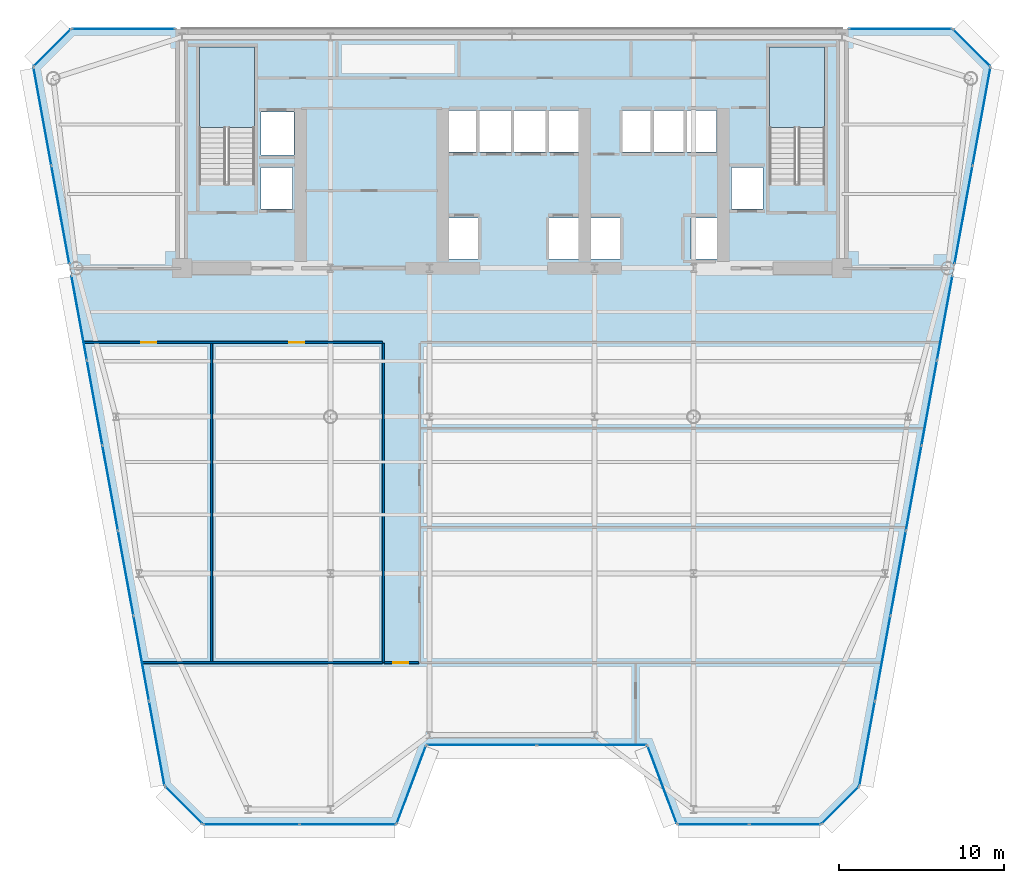
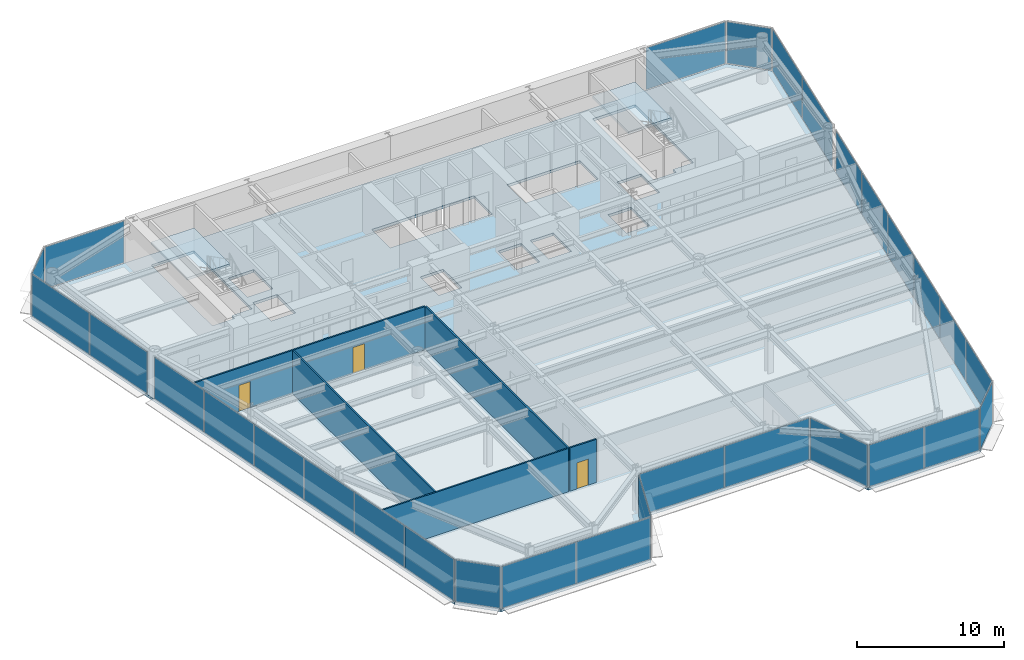
# One storey, part 10 of 17: 30 plates, 5 walls, 3 doors, 3 slabs, 3 openings, 17 elements without a shape of their own.
"""IFC4 building model written with IfcOpenShell, lengths in metres."""

from ifc_helpers import new_model, si_unit, direction, frame, frame_2d, origin, origin_2d, place, context, subcontext, project, spatial, polyline, rectangle, outline, extrude, source, transform, mapped, material, layer, layer_set, type_object, element, fill, aggregate, save


model = new_model("IFC4")

# Units and contexts
model_context = context("Model", 3, precision=1e-05, world=origin(), true_north=direction((0.0, 1.0)))
body_context = subcontext(model_context, "Body", "Model", "MODEL_VIEW")
ifc_project = project(units=[si_unit("LENGTHUNIT", "METRE"), si_unit("AREAUNIT", "SQUARE_METRE"), si_unit("VOLUMEUNIT", "CUBIC_METRE"), si_unit("PLANEANGLEUNIT", "RADIAN"), si_unit("MASSUNIT", "GRAM", prefix="KILO")], contexts=[model_context])

# Site, building, storey
site_placement = place(None, origin())
site = spatial("IfcSite", under=ifc_project, at=site_placement, CompositionType="ELEMENT")
building_placement = place(site_placement, origin())
building = spatial("IfcBuilding", under=site, at=building_placement, Name="Vaeldorn Concourse Tower", CompositionType="ELEMENT")
storey_placement = place(building_placement, frame((0.0, 0.0, 161.39990234375)))
storey = spatial("IfcBuildingStorey", under=building, at=storey_placement, Name="L41", CompositionType="ELEMENT", Elevation=161.39990234375)

# Stair, slab
ifc_material_1 = material(Name="Precast concrete C40/50", Category="concrete")
stair_type = type_object("IfcStairType", Name="STR-DOG-24x158", PredefinedType="HALF_TURN_STAIR", material=ifc_material_1)
stair_1_placement = place(storey_placement, origin())
stair_1 = element("IfcStair", 1, at=stair_1_placement, inside=storey, type_object=stair_type, Name="L41 West Core Exit Stair ST-1", PredefinedType="HALF_TURN_STAIR")
ifc_material_2 = material(Name="Concrete C40/50", Category="concrete")
ifc_layer_1 = layer(ifc_material_2, 0.199951171875)
ifc_layer_set_1 = layer_set([ifc_layer_1], Name="Concrete C40/50")
slab_type_1 = type_object("IfcSlabType", Name="SL-STAIR-LANDING", PredefinedType="LANDING", material=ifc_layer_set_1)
slab_1_placement = place(storey_placement, frame((0.0, 0.0, 1.7001953125)))
slab_1 = element("IfcSlab", 2, at=slab_1_placement, type_object=slab_type_1, Name="ST-1 landing 1", PredefinedType="LANDING", context=body_context, shape_type="SweptSolid", body=[
    extrude(outline(polyline([(18.39990234375, 45.010009765625), (18.39990234375, 49.89990234375), (15.050048828125, 49.89990234375), (15.050048828125, 45.010009765625), (18.39990234375, 45.010009765625)])), origin(), (0.0, 0.0, 1.0), 0.199951171875),
])
aggregate(stair_1, [slab_1])

stair_2_placement = place(storey_placement, origin())
stair_2 = element("IfcStair", 3, at=stair_2_placement, inside=storey, type_object=stair_type, Name="L41 East Core Exit Stair ST-2", PredefinedType="HALF_TURN_STAIR")
slab_2_placement = place(storey_placement, frame((0.0, 0.0, 1.7001953125)))
slab_2 = element("IfcSlab", 4, at=slab_2_placement, type_object=slab_type_1, Name="ST-2 landing 1", PredefinedType="LANDING", context=body_context, shape_type="SweptSolid", body=[
    extrude(outline(polyline([(52.949951171875, 45.010009765625), (52.949951171875, 49.89990234375), (49.60009765625, 49.89990234375), (49.60009765625, 45.010009765625), (52.949951171875, 45.010009765625)])), origin(), (0.0, 0.0, 1.0), 0.199951171875),
])
aggregate(stair_2, [slab_2])

# Slab
ifc_layer_2 = layer(ifc_material_2, 0.219970703125)
ifc_layer_set_2 = layer_set([ifc_layer_2], Name="Concrete C40/50")
slab_type_2 = type_object("IfcSlabType", Name="SL-TYP-220", PredefinedType="FLOOR", material=ifc_layer_set_2)
slab_3_placement = place(storey_placement, frame((0.0, 0.0, -0.219970703125)))
element("IfcSlab", 5, at=slab_3_placement, inside=storey, type_object=slab_type_2, Name="Structural Floor Slab L41", PredefinedType="FLOOR", context=body_context, shape_type="SweptSolid", body=[
    extrude(outline(polyline([(15.2529296875, 2.800048828125), (27.0, 2.800048828125), (28.800048828125, 7.60009765625), (42.199951171875, 7.60009765625), (44.0, 2.800048828125), (52.7470703125, 2.800048828125), (55.047119140625, 5.10009765625), (63.0, 48.699951171875), (60.699951171875, 51.0), (7.300048828125, 51.0), (5.0, 48.699951171875), (12.952880859375, 5.10009765625), (15.2529296875, 2.800048828125)]), holes=[polyline([(18.39990234375, 42.0), (18.39990234375, 49.89990234375), (15.050048828125, 49.89990234375), (15.050048828125, 41.60009765625), (16.800048828125, 41.60009765625), (16.800048828125, 42.0), (18.39990234375, 42.0)]), polyline([(52.949951171875, 42.0), (52.949951171875, 49.89990234375), (49.60009765625, 49.89990234375), (49.60009765625, 41.60009765625), (51.35009765625, 41.60009765625), (51.35009765625, 42.0), (52.949951171875, 42.0)]), polyline([(30.14990234375, 37.050048828125), (31.949951171875, 37.050048828125), (31.949951171875, 39.550048828125), (30.14990234375, 39.550048828125), (30.14990234375, 37.050048828125)]), polyline([(36.25, 37.050048828125), (38.050048828125, 37.050048828125), (38.050048828125, 39.550048828125), (36.25, 39.550048828125), (36.25, 37.050048828125)]), polyline([(30.10009765625, 43.550048828125), (38.10009765625, 43.550048828125), (38.10009765625, 46.050048828125), (30.10009765625, 46.050048828125), (30.10009765625, 43.550048828125)]), polyline([(38.75, 37.050048828125), (40.550048828125, 37.050048828125), (40.550048828125, 39.550048828125), (38.75, 39.550048828125), (38.75, 37.050048828125)]), polyline([(44.85009765625, 37.050048828125), (46.64990234375, 37.050048828125), (46.64990234375, 39.550048828125), (44.85009765625, 39.550048828125), (44.85009765625, 37.050048828125)]), polyline([(40.699951171875, 43.550048828125), (46.39990234375, 43.550048828125), (46.39990234375, 46.050048828125), (40.699951171875, 46.050048828125), (40.699951171875, 43.550048828125)]), polyline([(18.800048828125, 43.35009765625), (20.800048828125, 43.35009765625), (20.800048828125, 45.949951171875), (18.800048828125, 45.949951171875), (18.800048828125, 43.35009765625)]), polyline([(18.800048828125, 40.10009765625), (20.699951171875, 40.10009765625), (20.699951171875, 42.60009765625), (18.800048828125, 42.60009765625), (18.800048828125, 40.10009765625)]), polyline([(47.300048828125, 40.10009765625), (49.199951171875, 40.10009765625), (49.199951171875, 42.60009765625), (47.300048828125, 42.60009765625), (47.300048828125, 40.10009765625)])]), origin(), (0.0, 0.0, 1.0), 0.219970703125),
])

# Curtain wall, plate
ifc_material_3 = material(Name="Anodised Bronze Aluminium", Category="aluminium")
ifc_layer_3 = layer(ifc_material_3, 0.18994140625)
ifc_layer_set_3 = layer_set([ifc_layer_3], Name="Anodised Bronze Aluminium")
curtain_wall_type = type_object("IfcCurtainWallType", Name="CW-SYS-03", PredefinedType="NOTDEFINED", material=ifc_layer_set_3)
curtain_wall_1_placement = place(storey_placement, origin())
curtain_wall_1 = element("IfcCurtainWall", 6, at=curtain_wall_1_placement, inside=storey, type_object=curtain_wall_type, Name="Unitised Curtain Wall CW-L41-E02-1", PredefinedType="NOTDEFINED")
ifc_material_4 = material(Name="Bronze Tinted Low-E Insulated Glass", Category="glass")
ifc_layer_4 = layer(ifc_material_4, 0.031982421875)
ifc_layer_set_4 = layer_set([ifc_layer_4], Name="Bronze Tinted Low-E Insulated Glass")
plate_type = type_object("IfcPlateType", Name="CWP-VISION-32", PredefinedType="CURTAIN_PANEL", material=ifc_layer_set_4)
shared_shape_1 = source(origin(), body_context, "Body", "SweptSolid", [
    extrude(rectangle(XDim=4.996337890625, YDim=0.031982421875, at=origin_2d()), origin(), (0.0, 0.0, 1.0), 3.449951171875),
])
plate_1_placement = place(storey_placement, frame((27.89990234375, 5.199951171875, 0.06494140625), z_axis=(0.0, 0.0, 1.0), x_axis=(0.351123441595, 0.936329177566, 0.0)))
plate_1 = element("IfcPlate", 7, at=plate_1_placement, type_object=plate_type, Name="CW-03 panel 1.1", PredefinedType="CURTAIN_PANEL", context=body_context, shape_type="MappedRepresentation", body=[
    mapped(shared_shape_1, transform((0.0, 0.0, 0.0), scale=1.0)),
])
aggregate(curtain_wall_1, [plate_1])

curtain_wall_2_placement = place(storey_placement, origin())
curtain_wall_2 = element("IfcCurtainWall", 8, at=curtain_wall_2_placement, inside=storey, type_object=curtain_wall_type, Name="Unitised Curtain Wall CW-L41-E04-1", PredefinedType="NOTDEFINED")
plate_2_placement = place(storey_placement, frame((43.10009765625, 5.199951171875, 0.06494140625), z_axis=(0.0, 0.0, 1.0), x_axis=(0.351123441595, -0.936329177566, 0.0)))
plate_2 = element("IfcPlate", 9, at=plate_2_placement, type_object=plate_type, Name="CW-03 panel 1.1", PredefinedType="CURTAIN_PANEL", context=body_context, shape_type="MappedRepresentation", body=[
    mapped(shared_shape_1, transform((0.0, 0.0, 0.0), scale=1.0)),
])
aggregate(curtain_wall_2, [plate_2])

# Curtain wall, plates
curtain_wall_3_placement = place(storey_placement, origin())
curtain_wall_3 = element("IfcCurtainWall", 10, at=curtain_wall_3_placement, inside=storey, type_object=curtain_wall_type, Name="Unitised Curtain Wall CW-L41-E03-1", PredefinedType="NOTDEFINED")
shared_shape_2 = source(origin(), body_context, "Body", "SweptSolid", [
    extrude(rectangle(XDim=6.6025390625, YDim=0.031982421875, at=origin_2d()), origin(), (0.0, 0.0, 1.0), 3.449951171875),
])
plate_3_placement = place(storey_placement, frame((32.166259765625, 7.60009765625, 0.06494140625), z_axis=(0.0, 0.0, 1.0), x_axis=(1.0, 0.0, 0.0)))
plate_3 = element("IfcPlate", 11, at=plate_3_placement, type_object=plate_type, Name="CW-03 panel 1.1", PredefinedType="CURTAIN_PANEL", context=body_context, shape_type="MappedRepresentation", body=[
    mapped(shared_shape_2, transform((0.0, 0.0, 0.0), scale=1.0)),
])
plate_4_placement = place(storey_placement, frame((38.833740234375, 7.60009765625, 0.06494140625), z_axis=(0.0, 0.0, 1.0), x_axis=(1.0, 0.0, 0.0)))
plate_4 = element("IfcPlate", 12, at=plate_4_placement, type_object=plate_type, Name="CW-03 panel 2.1", PredefinedType="CURTAIN_PANEL", context=body_context, shape_type="MappedRepresentation", body=[
    mapped(shared_shape_2, transform((0.0, 0.0, 0.0), scale=1.0)),
])
aggregate(curtain_wall_3, [plate_3, plate_4])

# Curtain wall, plate
curtain_wall_4_placement = place(storey_placement, origin())
curtain_wall_4 = element("IfcCurtainWall", 13, at=curtain_wall_4_placement, inside=storey, type_object=curtain_wall_type, Name="Unitised Curtain Wall CW-L41-E06-1", PredefinedType="NOTDEFINED")
shared_shape_3 = source(origin(), body_context, "Body", "SweptSolid", [
    extrude(rectangle(XDim=3.122802734375, YDim=0.031982421875, at=origin_2d()), origin(), (0.0, 0.0, 1.0), 3.449951171875),
])
plate_5_placement = place(storey_placement, frame((53.89697265625, 3.949951171875, 0.06494140625), z_axis=(0.0, 0.0, 1.0), x_axis=(0.707106781187, 0.707106781187, 0.0)))
plate_5 = element("IfcPlate", 14, at=plate_5_placement, type_object=plate_type, Name="CW-03 panel 1.1", PredefinedType="CURTAIN_PANEL", context=body_context, shape_type="MappedRepresentation", body=[
    mapped(shared_shape_3, transform((0.0, 0.0, 0.0), scale=1.0)),
])
aggregate(curtain_wall_4, [plate_5])

curtain_wall_5_placement = place(storey_placement, origin())
curtain_wall_5 = element("IfcCurtainWall", 15, at=curtain_wall_5_placement, inside=storey, type_object=curtain_wall_type, Name="Unitised Curtain Wall CW-L41-E08-1", PredefinedType="NOTDEFINED")
plate_6_placement = place(storey_placement, frame((61.85009765625, 49.85009765625, 0.06494140625), z_axis=(0.0, 0.0, 1.0), x_axis=(-0.707106781187, 0.707106781187, 0.0)))
plate_6 = element("IfcPlate", 16, at=plate_6_placement, type_object=plate_type, Name="CW-03 panel 1.1", PredefinedType="CURTAIN_PANEL", context=body_context, shape_type="MappedRepresentation", body=[
    mapped(shared_shape_3, transform((0.0, 0.0, 0.0), scale=1.0)),
])
aggregate(curtain_wall_5, [plate_6])

curtain_wall_6_placement = place(storey_placement, origin())
curtain_wall_6 = element("IfcCurtainWall", 17, at=curtain_wall_6_placement, inside=storey, type_object=curtain_wall_type, Name="Unitised Curtain Wall CW-L41-E10-1", PredefinedType="NOTDEFINED")
plate_7_placement = place(storey_placement, frame((6.14990234375, 49.85009765625, 0.06494140625), z_axis=(0.0, 0.0, 1.0), x_axis=(-0.707106781187, -0.707106781187, 0.0)))
plate_7 = element("IfcPlate", 18, at=plate_7_placement, type_object=plate_type, Name="CW-03 panel 1.1", PredefinedType="CURTAIN_PANEL", context=body_context, shape_type="MappedRepresentation", body=[
    mapped(shared_shape_3, transform((0.0, 0.0, 0.0), scale=1.0)),
])
aggregate(curtain_wall_6, [plate_7])

curtain_wall_7_placement = place(storey_placement, origin())
curtain_wall_7 = element("IfcCurtainWall", 19, at=curtain_wall_7_placement, inside=storey, type_object=curtain_wall_type, Name="Unitised Curtain Wall CW-L41-E12-1", PredefinedType="NOTDEFINED")
plate_8_placement = place(storey_placement, frame((14.10302734375, 3.949951171875, 0.06494140625), z_axis=(0.0, 0.0, 1.0), x_axis=(0.707106781187, -0.707106781187, 0.0)))
plate_8 = element("IfcPlate", 20, at=plate_8_placement, type_object=plate_type, Name="CW-03 panel 1.1", PredefinedType="CURTAIN_PANEL", context=body_context, shape_type="MappedRepresentation", body=[
    mapped(shared_shape_3, transform((0.0, 0.0, 0.0), scale=1.0)),
])
aggregate(curtain_wall_7, [plate_8])

curtain_wall_8_placement = place(storey_placement, origin())
curtain_wall_8 = element("IfcCurtainWall", 21, at=curtain_wall_8_placement, inside=storey, type_object=curtain_wall_type, Name="Unitised Curtain Wall CW-L41-E09-1", PredefinedType="NOTDEFINED")
shared_shape_4 = source(origin(), body_context, "Body", "SweptSolid", [
    extrude(rectangle(XDim=6.199951171875, YDim=0.031982421875, at=origin_2d()), origin(), (0.0, 0.0, 1.0), 3.449951171875),
])
plate_9_placement = place(storey_placement, frame((57.534912109375, 51.0, 0.06494140625), z_axis=(0.0, 0.0, 1.0), x_axis=(-1.0, 0.0, 0.0)))
plate_9 = element("IfcPlate", 22, at=plate_9_placement, type_object=plate_type, Name="CW-03 panel 1.1", PredefinedType="CURTAIN_PANEL", context=body_context, shape_type="MappedRepresentation", body=[
    mapped(shared_shape_4, transform((0.0, 0.0, 0.0), scale=1.0)),
])
aggregate(curtain_wall_8, [plate_9])

curtain_wall_9_placement = place(storey_placement, origin())
curtain_wall_9 = element("IfcCurtainWall", 23, at=curtain_wall_9_placement, inside=storey, type_object=curtain_wall_type, Name="Unitised Curtain Wall CW-L41-E09-2", PredefinedType="NOTDEFINED")
plate_10_placement = place(storey_placement, frame((10.465087890625, 51.0, 0.06494140625), z_axis=(0.0, 0.0, 1.0), x_axis=(-1.0, 0.0, 0.0)))
plate_10 = element("IfcPlate", 24, at=plate_10_placement, type_object=plate_type, Name="CW-03 panel 1.1", PredefinedType="CURTAIN_PANEL", context=body_context, shape_type="MappedRepresentation", body=[
    mapped(shared_shape_4, transform((0.0, 0.0, 0.0), scale=1.0)),
])
aggregate(curtain_wall_9, [plate_10])

# Curtain wall, plates
curtain_wall_10_placement = place(storey_placement, origin())
curtain_wall_10 = element("IfcCurtainWall", 25, at=curtain_wall_10_placement, inside=storey, type_object=curtain_wall_type, Name="Unitised Curtain Wall CW-L41-E01-1", PredefinedType="NOTDEFINED")
shared_shape_5 = source(origin(), body_context, "Body", "SweptSolid", [
    extrude(rectangle(XDim=5.77587890625, YDim=0.031982421875, at=origin_2d()), origin(), (0.0, 0.0, 1.0), 3.449951171875),
])
plate_11_placement = place(storey_placement, frame((18.2060546875, 2.800048828125, 0.06494140625), z_axis=(0.0, 0.0, 1.0), x_axis=(1.0, 0.0, 0.0)))
plate_11 = element("IfcPlate", 26, at=plate_11_placement, type_object=plate_type, Name="CW-03 panel 1.1", PredefinedType="CURTAIN_PANEL", context=body_context, shape_type="MappedRepresentation", body=[
    mapped(shared_shape_5, transform((0.0, 0.0, 0.0), scale=1.0)),
])
plate_12_placement = place(storey_placement, frame((24.047119140625, 2.800048828125, 0.06494140625), z_axis=(0.0, 0.0, 1.0), x_axis=(1.0, 0.0, 0.0)))
plate_12 = element("IfcPlate", 27, at=plate_12_placement, type_object=plate_type, Name="CW-03 panel 2.1", PredefinedType="CURTAIN_PANEL", context=body_context, shape_type="MappedRepresentation", body=[
    mapped(shared_shape_5, transform((0.0, 0.0, 0.0), scale=1.0)),
])
aggregate(curtain_wall_10, [plate_11, plate_12])

curtain_wall_11_placement = place(storey_placement, origin())
curtain_wall_11 = element("IfcCurtainWall", 28, at=curtain_wall_11_placement, inside=storey, type_object=curtain_wall_type, Name="Unitised Curtain Wall CW-L41-E05-1", PredefinedType="NOTDEFINED")
shared_shape_6 = source(origin(), body_context, "Body", "SweptSolid", [
    extrude(rectangle(XDim=4.27587890625, YDim=0.031982421875, at=origin_2d()), origin(), (0.0, 0.0, 1.0), 3.449951171875),
])
plate_13_placement = place(storey_placement, frame((46.202880859375, 2.800048828125, 0.06494140625), z_axis=(0.0, 0.0, 1.0), x_axis=(1.0, 0.0, 0.0)))
plate_13 = element("IfcPlate", 29, at=plate_13_placement, type_object=plate_type, Name="CW-03 panel 1.1", PredefinedType="CURTAIN_PANEL", context=body_context, shape_type="MappedRepresentation", body=[
    mapped(shared_shape_6, transform((0.0, 0.0, 0.0), scale=1.0)),
])
plate_14_placement = place(storey_placement, frame((50.5439453125, 2.800048828125, 0.06494140625), z_axis=(0.0, 0.0, 1.0), x_axis=(1.0, 0.0, 0.0)))
plate_14 = element("IfcPlate", 30, at=plate_14_placement, type_object=plate_type, Name="CW-03 panel 2.1", PredefinedType="CURTAIN_PANEL", context=body_context, shape_type="MappedRepresentation", body=[
    mapped(shared_shape_6, transform((0.0, 0.0, 0.0), scale=1.0)),
])
aggregate(curtain_wall_11, [plate_13, plate_14])

curtain_wall_12_placement = place(storey_placement, origin())
curtain_wall_12 = element("IfcCurtainWall", 31, at=curtain_wall_12_placement, inside=storey, type_object=curtain_wall_type, Name="Unitised Curtain Wall CW-L41-E07-1", PredefinedType="NOTDEFINED")
shared_shape_7 = source(origin(), body_context, "Body", "SweptSolid", [
    extrude(rectangle(XDim=5.151611328125, YDim=0.031982421875, at=origin_2d()), origin(), (0.0, 0.0, 1.0), 3.449951171875),
])
plate_15_placement = place(storey_placement, frame((55.52099609375, 7.697998046875, 0.06494140625), z_axis=(0.0, 0.0, 1.0), x_axis=(0.179445909331, 0.983767841325, 0.0)))
plate_15 = element("IfcPlate", 32, at=plate_15_placement, type_object=plate_type, Name="CW-03 panel 1.1", PredefinedType="CURTAIN_PANEL", context=body_context, shape_type="MappedRepresentation", body=[
    mapped(shared_shape_7, transform((0.0, 0.0, 0.0), scale=1.0)),
])
plate_16_placement = place(storey_placement, frame((60.224609375, 33.485595703125, 0.06494140625), z_axis=(0.0, 0.0, 1.0), x_axis=(0.179445909331, 0.983767841325, 0.0)))
plate_16 = element("IfcPlate", 33, at=plate_16_placement, type_object=plate_type, Name="CW-03 panel 6.1", PredefinedType="CURTAIN_PANEL", context=body_context, shape_type="MappedRepresentation", body=[
    mapped(shared_shape_7, transform((0.0, 0.0, 0.0), scale=1.0)),
])

curtain_wall_13_placement = place(storey_placement, origin())
curtain_wall_13 = element("IfcCurtainWall", 34, at=curtain_wall_13_placement, inside=storey, type_object=curtain_wall_type, Name="Unitised Curtain Wall CW-L41-E11-2", PredefinedType="NOTDEFINED")
plate_17_placement = place(storey_placement, frame((7.775390625, 33.485595703125, 0.06494140625), z_axis=(0.0, 0.0, 1.0), x_axis=(0.179445909331, -0.983767841325, 0.0)))
plate_17 = element("IfcPlate", 35, at=plate_17_placement, type_object=plate_type, Name="CW-03 panel 1.1", PredefinedType="CURTAIN_PANEL", context=body_context, shape_type="MappedRepresentation", body=[
    mapped(shared_shape_7, transform((0.0, 0.0, 0.0), scale=1.0)),
])
plate_18_placement = place(storey_placement, frame((12.47900390625, 7.697998046875, 0.06494140625), z_axis=(0.0, 0.0, 1.0), x_axis=(0.179445909331, -0.983767841325, 0.0)))
plate_18 = element("IfcPlate", 36, at=plate_18_placement, type_object=plate_type, Name="CW-03 panel 6.1", PredefinedType="CURTAIN_PANEL", context=body_context, shape_type="MappedRepresentation", body=[
    mapped(shared_shape_7, transform((0.0, 0.0, 0.0), scale=1.0)),
])

# Plate
shared_shape_8 = source(origin(), body_context, "Body", "SweptSolid", [
    extrude(rectangle(XDim=5.18408203125, YDim=0.031982421875, at=origin_2d()), origin(), (0.0, 0.0, 1.0), 3.449951171875),
])
plate_19_placement = place(storey_placement, frame((56.4599609375, 12.845947265625, 0.06494140625), z_axis=(0.0, 0.0, 1.0), x_axis=(0.179445909331, 0.983767841325, 0.0)))
plate_19 = element("IfcPlate", 37, at=plate_19_placement, type_object=plate_type, Name="CW-03 panel 2.1", PredefinedType="CURTAIN_PANEL", context=body_context, shape_type="MappedRepresentation", body=[
    mapped(shared_shape_8, transform((0.0, 0.0, 0.0), scale=1.0)),
])

plate_20_placement = place(storey_placement, frame((57.40185546875, 18.009765625, 0.06494140625), z_axis=(0.0, 0.0, 1.0), x_axis=(0.179445909331, 0.983767841325, 0.0)))
plate_20 = element("IfcPlate", 38, at=plate_20_placement, type_object=plate_type, Name="CW-03 panel 3.1", PredefinedType="CURTAIN_PANEL", context=body_context, shape_type="MappedRepresentation", body=[
    mapped(shared_shape_8, transform((0.0, 0.0, 0.0), scale=1.0)),
])

plate_21_placement = place(storey_placement, frame((58.34375, 23.173828125, 0.06494140625), z_axis=(0.0, 0.0, 1.0), x_axis=(0.179445909331, 0.983767841325, 0.0)))
plate_21 = element("IfcPlate", 39, at=plate_21_placement, type_object=plate_type, Name="CW-03 panel 4.1", PredefinedType="CURTAIN_PANEL", context=body_context, shape_type="MappedRepresentation", body=[
    mapped(shared_shape_8, transform((0.0, 0.0, 0.0), scale=1.0)),
])

plate_22_placement = place(storey_placement, frame((59.28564453125, 28.337646484375, 0.06494140625), z_axis=(0.0, 0.0, 1.0), x_axis=(0.179445909331, 0.983767841325, 0.0)))
plate_22 = element("IfcPlate", 40, at=plate_22_placement, type_object=plate_type, Name="CW-03 panel 5.1", PredefinedType="CURTAIN_PANEL", context=body_context, shape_type="MappedRepresentation", body=[
    mapped(shared_shape_8, transform((0.0, 0.0, 0.0), scale=1.0)),
])

aggregate(curtain_wall_12, [plate_15, plate_19, plate_20, plate_21, plate_22, plate_16])

plate_23_placement = place(storey_placement, frame((8.71435546875, 28.337646484375, 0.06494140625), z_axis=(0.0, 0.0, 1.0), x_axis=(0.179445909331, -0.983767841325, 0.0)))
plate_23 = element("IfcPlate", 41, at=plate_23_placement, type_object=plate_type, Name="CW-03 panel 2.1", PredefinedType="CURTAIN_PANEL", context=body_context, shape_type="MappedRepresentation", body=[
    mapped(shared_shape_8, transform((0.0, 0.0, 0.0), scale=1.0)),
])

plate_24_placement = place(storey_placement, frame((9.65625, 23.173828125, 0.06494140625), z_axis=(0.0, 0.0, 1.0), x_axis=(0.179445909331, -0.983767841325, 0.0)))
plate_24 = element("IfcPlate", 42, at=plate_24_placement, type_object=plate_type, Name="CW-03 panel 3.1", PredefinedType="CURTAIN_PANEL", context=body_context, shape_type="MappedRepresentation", body=[
    mapped(shared_shape_8, transform((0.0, 0.0, 0.0), scale=1.0)),
])

plate_25_placement = place(storey_placement, frame((10.59814453125, 18.009765625, 0.06494140625), z_axis=(0.0, 0.0, 1.0), x_axis=(0.179445909331, -0.983767841325, 0.0)))
plate_25 = element("IfcPlate", 43, at=plate_25_placement, type_object=plate_type, Name="CW-03 panel 4.1", PredefinedType="CURTAIN_PANEL", context=body_context, shape_type="MappedRepresentation", body=[
    mapped(shared_shape_8, transform((0.0, 0.0, 0.0), scale=1.0)),
])

plate_26_placement = place(storey_placement, frame((11.5400390625, 12.845947265625, 0.06494140625), z_axis=(0.0, 0.0, 1.0), x_axis=(0.179445909331, -0.983767841325, 0.0)))
plate_26 = element("IfcPlate", 44, at=plate_26_placement, type_object=plate_type, Name="CW-03 panel 5.1", PredefinedType="CURTAIN_PANEL", context=body_context, shape_type="MappedRepresentation", body=[
    mapped(shared_shape_8, transform((0.0, 0.0, 0.0), scale=1.0)),
])

aggregate(curtain_wall_13, [plate_17, plate_23, plate_24, plate_25, plate_26, plate_18])

# Curtain wall, plates
curtain_wall_14_placement = place(storey_placement, origin())
curtain_wall_14 = element("IfcCurtainWall", 45, at=curtain_wall_14_placement, inside=storey, type_object=curtain_wall_type, Name="Unitised Curtain Wall CW-L41-E07-2", PredefinedType="NOTDEFINED")
shared_shape_9 = source(origin(), body_context, "Body", "SweptSolid", [
    extrude(rectangle(XDim=5.986572265625, YDim=0.031982421875, at=origin_2d()), origin(), (0.0, 0.0, 1.0), 3.449951171875),
])
plate_27_placement = place(storey_placement, frame((61.365234375, 39.73828125, 0.06494140625), z_axis=(0.0, 0.0, 1.0), x_axis=(0.179447345892, 0.983767579285, 0.0)))
plate_27 = element("IfcPlate", 46, at=plate_27_placement, type_object=plate_type, Name="CW-03 panel 1.1", PredefinedType="CURTAIN_PANEL", context=body_context, shape_type="MappedRepresentation", body=[
    mapped(shared_shape_9, transform((0.0, 0.0, 0.0), scale=1.0)),
])
plate_28_placement = place(storey_placement, frame((62.451171875, 45.69140625, 0.06494140625), z_axis=(0.0, 0.0, 1.0), x_axis=(0.179447345892, 0.983767579285, 0.0)))
plate_28 = element("IfcPlate", 47, at=plate_28_placement, type_object=plate_type, Name="CW-03 panel 2.1", PredefinedType="CURTAIN_PANEL", context=body_context, shape_type="MappedRepresentation", body=[
    mapped(shared_shape_9, transform((0.0, 0.0, 0.0), scale=1.0)),
])
aggregate(curtain_wall_14, [plate_27, plate_28])

curtain_wall_15_placement = place(storey_placement, origin())
curtain_wall_15 = element("IfcCurtainWall", 48, at=curtain_wall_15_placement, inside=storey, type_object=curtain_wall_type, Name="Unitised Curtain Wall CW-L41-E11-1", PredefinedType="NOTDEFINED")
plate_29_placement = place(storey_placement, frame((5.548828125, 45.69140625, 0.06494140625), z_axis=(0.0, 0.0, 1.0), x_axis=(0.179447345892, -0.983767579285, 0.0)))
plate_29 = element("IfcPlate", 49, at=plate_29_placement, type_object=plate_type, Name="CW-03 panel 1.1", PredefinedType="CURTAIN_PANEL", context=body_context, shape_type="MappedRepresentation", body=[
    mapped(shared_shape_9, transform((0.0, 0.0, 0.0), scale=1.0)),
])
plate_30_placement = place(storey_placement, frame((6.634765625, 39.73828125, 0.06494140625), z_axis=(0.0, 0.0, 1.0), x_axis=(0.179447345892, -0.983767579285, 0.0)))
plate_30 = element("IfcPlate", 50, at=plate_30_placement, type_object=plate_type, Name="CW-03 panel 2.1", PredefinedType="CURTAIN_PANEL", context=body_context, shape_type="MappedRepresentation", body=[
    mapped(shared_shape_9, transform((0.0, 0.0, 0.0), scale=1.0)),
])
aggregate(curtain_wall_15, [plate_29, plate_30])

# Wall, openings, doors
ifc_material_5 = material(Name="Gypsum Board Partition", Category="gypsum")
ifc_layer_5 = layer(ifc_material_5, 0.1201171875)
ifc_layer_set_5 = layer_set([ifc_layer_5], Name="Gypsum Board Partition")
wall_type = type_object("IfcWallType", Name="WL-PART-120", PredefinedType="PARTITIONING", material=ifc_layer_set_5)
wall_1_placement = place(storey_placement, frame((8.086181640625, 32.0, 0.0), z_axis=(0.0, 0.0, 1.0), x_axis=(1.0, 0.0, 0.0)))
wall_1 = element("IfcWall", 51, at=wall_1_placement, inside=storey, type_object=wall_type, Name="Interior Wall PW-L41-C2SW", PredefinedType="PARTITIONING", context=body_context, shape_type="SweptSolid", body=[
    extrude(rectangle(XDim=18.0537109375, YDim=0.1201171875, at=frame_2d((9.02685546875, 0.0))), origin(), (0.0, 0.0, 1.0), 3.580078125),
])
opening_1_placement = place(wall_1_placement, frame((3.45703125, 0.0, 0.0)))
opening_1 = element("IfcOpeningElement", 52, at=opening_1_placement, cuts=wall_1, Name="Opening D-03", PredefinedType="OPENING", context=body_context, shape_type="SweptSolid", body=[
    extrude(rectangle(XDim=0.89990234375, YDim=2.14990234375, at=frame_2d((0.449951171875, 1.074951171875))), frame((0.0, 0.070068359375, 0.0), z_axis=(0.0, -1.0, 0.0), x_axis=(1.0, 0.0, 0.0)), (0.0, 0.0, 1.0), 0.14013671875),
])
opening_2_placement = place(wall_1_placement, frame((12.4140625, 0.0, 0.0)))
opening_2 = element("IfcOpeningElement", 53, at=opening_2_placement, cuts=wall_1, Name="Opening D-03", PredefinedType="OPENING", context=body_context, shape_type="SweptSolid", body=[
    extrude(rectangle(XDim=0.89990234375, YDim=2.14990234375, at=frame_2d((0.449951171875, 1.074951171875))), frame((0.0, 0.070068359375, 0.0), z_axis=(0.0, -1.0, 0.0), x_axis=(1.0, 0.0, 0.0)), (0.0, 0.0, 1.0), 0.14013671875),
])
ifc_material_6 = material(Name="Acoustic Bronze-Framed Glass Door", Category="glass")
door_type = type_object("IfcDoorType", Name="DR-INT-900", OperationType="NOTDEFINED", PredefinedType="DOOR", material=ifc_material_6)
shared_shape_10 = source(origin(), body_context, "Body", "SweptSolid", [
    extrude(rectangle(XDim=0.89990234375, YDim=2.14990234375, at=frame_2d((0.449951171875, 1.074951171875))), frame((0.0, 0.02490234375, 0.0), z_axis=(0.0, -1.0, 0.0), x_axis=(1.0, 0.0, 0.0)), (0.0, 0.0, 1.0), 0.050048828125),
])
door_1_placement = place(opening_1_placement, origin())
door_1 = element("IfcDoor", 54, at=door_1_placement, inside=storey, type_object=door_type, Name="Interior Door DR-L41-Z2W1", OperationType="SINGLE_SWING_LEFT", OverallHeight=2.14990234375, OverallWidth=0.89990234375, PredefinedType="DOOR", context=body_context, shape_type="MappedRepresentation", body=[
    mapped(shared_shape_10, transform((0.0, 0.0, 0.0), scale=1.0)),
])
fill(opening_1, door_1)
door_2_placement = place(opening_2_placement, origin())
door_2 = element("IfcDoor", 55, at=door_2_placement, inside=storey, type_object=door_type, Name="Interior Door DR-L41-Z2W2", OperationType="SINGLE_SWING_RIGHT", OverallHeight=2.14990234375, OverallWidth=0.89990234375, PredefinedType="DOOR", context=body_context, shape_type="MappedRepresentation", body=[
    mapped(shared_shape_10, transform((0.0, 0.0, 0.0), scale=1.0)),
])
fill(opening_2, door_2)

# Wall
wall_2_placement = place(storey_placement, frame((26.199951171875, 12.60009765625, 0.0), z_axis=(0.0, 0.0, 1.0), x_axis=(0.0, 1.0, 0.0)))
element("IfcWall", 56, at=wall_2_placement, inside=storey, type_object=wall_type, Name="Interior Wall PW-L41-SP2W", PredefinedType="PARTITIONING", context=body_context, shape_type="SweptSolid", body=[
    extrude(rectangle(XDim=19.33984375, YDim=0.1201171875, at=frame_2d((9.669921875, 0.0))), origin(), (0.0, 0.0, 1.0), 3.580078125),
])

# Wall, opening, door
wall_3_placement = place(storey_placement, frame((26.260009765625, 12.60009765625, 0.0), z_axis=(0.0, 0.0, 1.0), x_axis=(1.0, 0.0, 0.0)))
wall_3 = element("IfcWall", 57, at=wall_3_placement, inside=storey, type_object=wall_type, Name="Interior Wall PW-L41-SP2S", PredefinedType="PARTITIONING", context=body_context, shape_type="SweptSolid", body=[
    extrude(rectangle(XDim=2.080078125, YDim=0.1201171875, at=frame_2d((1.0400390625, 0.0))), origin(), (0.0, 0.0, 1.0), 3.580078125),
])
opening_3_placement = place(wall_3_placement, frame((0.550048828125, 0.0, 0.0)))
opening_3 = element("IfcOpeningElement", 58, at=opening_3_placement, cuts=wall_3, Name="Opening D-03", PredefinedType="OPENING", context=body_context, shape_type="SweptSolid", body=[
    extrude(rectangle(XDim=0.89990234375, YDim=2.14990234375, at=frame_2d((0.449951171875, 1.074951171875))), frame((0.0, 0.070068359375, 0.0), z_axis=(0.0, -1.0, 0.0), x_axis=(1.0, 0.0, 0.0)), (0.0, 0.0, 1.0), 0.14013671875),
])
door_3_placement = place(opening_3_placement, origin())
door_3 = element("IfcDoor", 59, at=door_3_placement, inside=storey, type_object=door_type, Name="Interior Door DR-L41-Z2SFM", OperationType="SINGLE_SWING_LEFT", OverallHeight=2.14990234375, OverallWidth=0.89990234375, PredefinedType="DOOR", context=body_context, shape_type="MappedRepresentation", body=[
    mapped(shared_shape_10, transform((0.0, 0.0, 0.0), scale=1.0)),
])
fill(opening_3, door_3)

# Walls
wall_4_placement = place(storey_placement, frame((11.625, 12.60009765625, 0.0), z_axis=(0.0, 0.0, 1.0), x_axis=(1.0, 0.0, 0.0)))
element("IfcWall", 60, at=wall_4_placement, inside=storey, type_object=wall_type, Name="Interior Wall PW-L41-S2WL", PredefinedType="PARTITIONING", context=body_context, shape_type="SweptSolid", body=[
    extrude(rectangle(XDim=14.514892578125, YDim=0.1201171875, at=frame_2d((7.25732421875, 0.0))), origin(), (0.0, 0.0, 1.0), 3.580078125),
])
wall_5_placement = place(storey_placement, frame((15.800048828125, 12.659912109375, 0.0), z_axis=(0.0, 0.0, 1.0), x_axis=(0.0, 1.0, 0.0)))
element("IfcWall", 61, at=wall_5_placement, inside=storey, type_object=wall_type, Name="Interior Wall PW-L41-Z2WX1", PredefinedType="PARTITIONING", context=body_context, shape_type="SweptSolid", body=[
    extrude(rectangle(XDim=19.280029296875, YDim=0.1201171875, at=frame_2d((9.64013671875, 0.0))), origin(), (0.0, 0.0, 1.0), 3.580078125),
])

save(model, "model.ifc")
